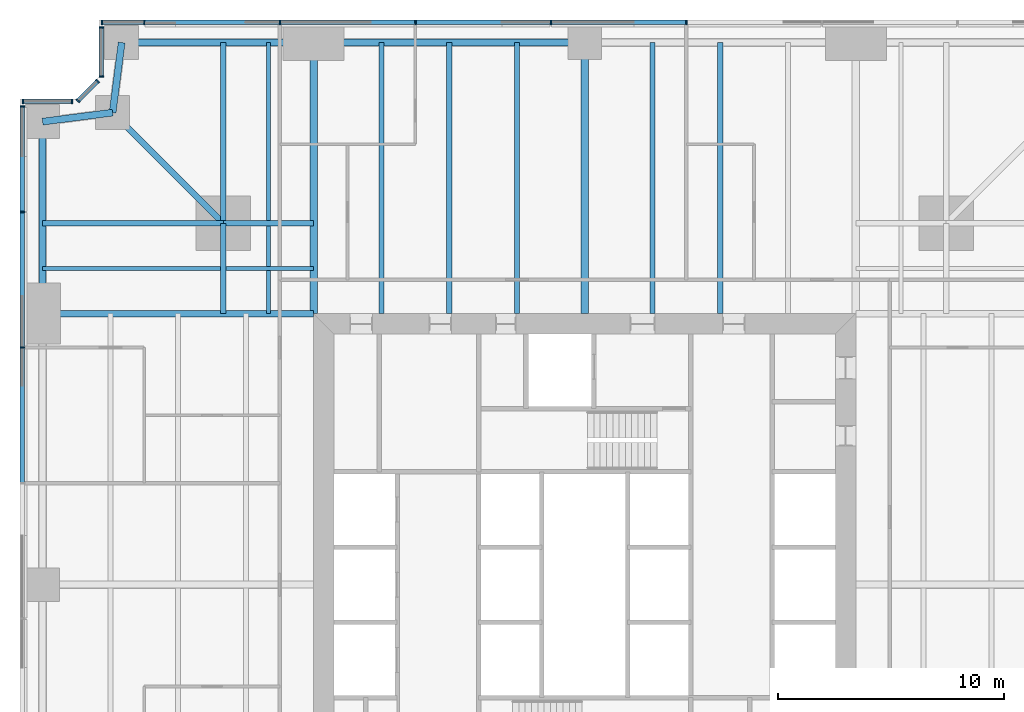
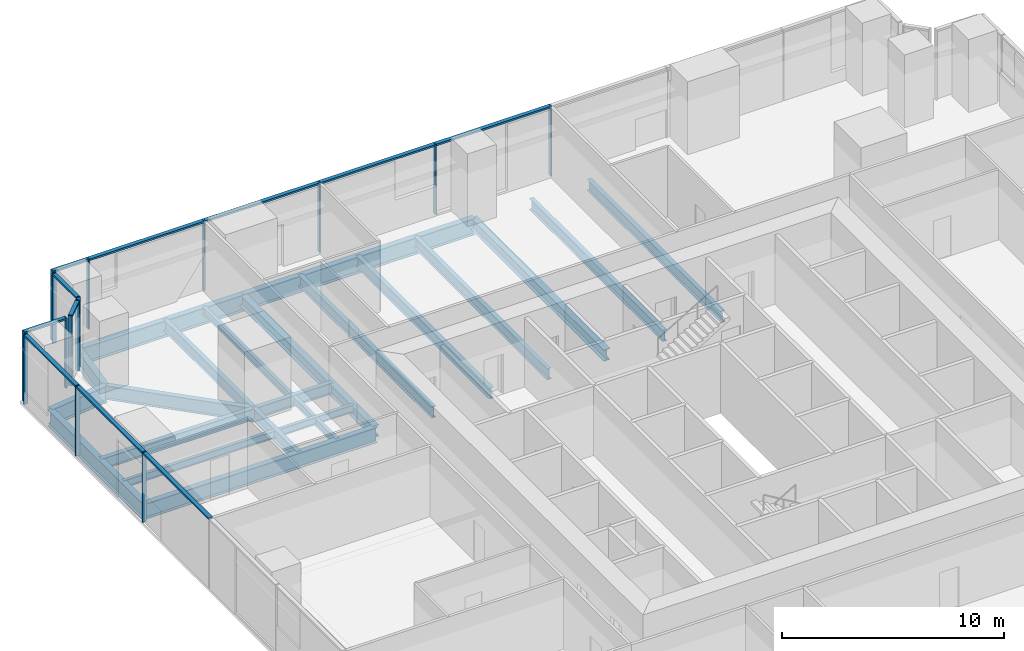
# One storey, part 6 of 13: 26 members, 23 beams, 5 elements without a shape of their own.
"""IFC4 building model written with IfcOpenShell, lengths in metres."""

from ifc_helpers import new_model, si_unit, direction, frame, origin, origin_2d, place, context, subcontext, project, spatial, rectangle, i_section, extrude, material, material_profile, profile_set, type_object, element, aggregate, save


model = new_model("IFC4")

# Units and contexts
model_context = context("Model", 3, precision=1e-05, world=origin(), true_north=direction((0.0, 1.0)))
body_context = subcontext(model_context, "Body", "Model", "MODEL_VIEW")
ifc_project = project(units=[si_unit("LENGTHUNIT", "METRE"), si_unit("AREAUNIT", "SQUARE_METRE"), si_unit("VOLUMEUNIT", "CUBIC_METRE"), si_unit("PLANEANGLEUNIT", "RADIAN"), si_unit("MASSUNIT", "GRAM", prefix="KILO")], contexts=[model_context])

# Site, building, storey
site_placement = place(None, origin())
site = spatial("IfcSite", under=ifc_project, at=site_placement, CompositionType="ELEMENT")
building_placement = place(site_placement, origin())
building = spatial("IfcBuilding", under=site, at=building_placement, Name="Fenwick Lantern Interchange", CompositionType="ELEMENT")
storey_placement = place(building_placement, frame((0.0, 0.0, 47.0)))
storey = spatial("IfcBuildingStorey", under=building, at=storey_placement, Name="L10", CompositionType="ELEMENT", Elevation=47.0)

# Beams
ifc_material_1 = material(Name="Steel ASTM A992 Grade 50", Category="steel")
ifc_material_profile_1 = material_profile(ifc_material_1, i_section(OverallWidth=0.3046875, OverallDepth=0.911865234375, WebThickness=0.015869140625, FlangeThickness=0.02392578125, at=origin_2d()), Name="W36X150")
ifc_profile_set_1 = profile_set([ifc_material_profile_1], Name="Steel ASTM A992 Grade 50")
beam_type_1 = type_object("IfcBeamType", Name="EDGE BEAM W36X150", PredefinedType="SPANDREL", material=ifc_profile_set_1)
beam_1_placement = place(storey_placement, frame((25.0, 49.0, -0.60595703125), z_axis=(-1.0, 0.0, 0.0), x_axis=(0.0, -1.0, 0.0)))
element("IfcBeam", 1, at=beam_1_placement, inside=storey, type_object=beam_type_1, Name="L10/FR/N/EB3", PredefinedType="SPANDREL", context=body_context, shape_type="SweptSolid", body=[
    extrude(i_section(OverallWidth=0.3046875, OverallDepth=0.911865234375, WebThickness=0.015869140625, FlangeThickness=0.02392578125, at=origin_2d()), origin(), (0.0, 0.0, 1.0), 12.0),
])
beam_2_placement = place(storey_placement, frame((13.0, 49.0, -0.60595703125), z_axis=(-1.0, 0.0, 0.0), x_axis=(0.0, -1.0, 0.0)))
element("IfcBeam", 2, at=beam_2_placement, inside=storey, type_object=beam_type_1, Name="L10/FR/N/EB4", PredefinedType="SPANDREL", context=body_context, shape_type="SweptSolid", body=[
    extrude(i_section(OverallWidth=0.3046875, OverallDepth=0.911865234375, WebThickness=0.015869140625, FlangeThickness=0.02392578125, at=origin_2d()), origin(), (0.0, 0.0, 1.0), 8.5),
])
for number, where, z_axis, x_axis, name in (
    (3, (4.5, 49.0, -0.60595703125), (-0.127936641807, -0.991782342897, 0.0), (0.991782342897, -0.127936641807, 0.0), "L10/FR/N/EBR1"),
    (4, (4.10009765625, 45.89990234375, -0.60595703125), (-0.991782342897, -0.127936641807, 0.0), (0.127936641807, -0.991782342897, 0.0), "L10/FR/N/EBR2"),
):
    element("IfcBeam", number, at=place(storey_placement, frame(where, z_axis=z_axis, x_axis=x_axis)), inside=storey, type_object=beam_type_1, Name=name, PredefinedType="SPANDREL", context=body_context, shape_type="SweptSolid", body=[
        extrude(i_section(OverallWidth=0.3046875, OverallDepth=0.911865234375, WebThickness=0.015869140625, FlangeThickness=0.02392578125, at=origin_2d()), origin(), (0.0, 0.0, 1.0), 3.125732421875),
    ])
beam_3_placement = place(storey_placement, frame((1.0, 45.5, -0.60595703125), z_axis=(0.0, -1.0, 0.0), x_axis=(1.0, 0.0, 0.0)))
element("IfcBeam", 5, at=beam_3_placement, inside=storey, type_object=beam_type_1, Name="L10/FR/W/EB1", PredefinedType="SPANDREL", context=body_context, shape_type="SweptSolid", body=[
    extrude(i_section(OverallWidth=0.3046875, OverallDepth=0.911865234375, WebThickness=0.015869140625, FlangeThickness=0.02392578125, at=origin_2d()), origin(), (0.0, 0.0, 1.0), 8.5),
])
ifc_material_profile_2 = material_profile(ifc_material_1, i_section(OverallWidth=0.22900390625, OverallDepth=0.612060546875, WebThickness=0.011962890625, FlangeThickness=0.01953125, at=origin_2d()), Name="W24X84")
ifc_profile_set_2 = profile_set([ifc_material_profile_2], Name="Steel ASTM A992 Grade 50")
beam_type_2 = type_object("IfcBeamType", Name="FLOOR BEAM W24X84", PredefinedType="BEAM", material=ifc_profile_set_2)
for number, where, z_axis, x_axis, name in (
    (6, (31.0, 49.0, -0.4560546875), (0.0, -1.0, 0.0), (1.0, 0.0, 0.0), "L10/FR/N/R03"),
    (7, (28.0, 49.0, -0.4560546875), (0.0, -1.0, 0.0), (1.0, 0.0, 0.0), "L10/FR/N/R04"),
    (8, (22.0, 49.0, -0.4560546875), (0.0, -1.0, 0.0), (1.0, 0.0, 0.0), "L10/FR/N/R06"),
    (9, (19.0, 49.0, -0.4560546875), (0.0, -1.0, 0.0), (1.0, 0.0, 0.0), "L10/FR/N/R07"),
    (10, (16.0, 49.0, -0.4560546875), (0.0, -1.0, 0.0), (1.0, 0.0, 0.0), "L10/FR/N/R08"),
):
    element("IfcBeam", number, at=place(storey_placement, frame(where, z_axis=z_axis, x_axis=x_axis)), inside=storey, type_object=beam_type_2, Name=name, PredefinedType="BEAM", context=body_context, shape_type="SweptSolid", body=[
        extrude(i_section(OverallWidth=0.22900390625, OverallDepth=0.612060546875, WebThickness=0.011962890625, FlangeThickness=0.01953125, at=origin_2d()), origin(), (0.0, 0.0, 1.0), 12.0),
    ])
ifc_material_profile_3 = material_profile(ifc_material_1, i_section(OverallWidth=0.177734375, OverallDepth=0.406494140625, WebThickness=0.0078125, FlangeThickness=0.012939453125, at=origin_2d()), Name="W16X40")
ifc_profile_set_3 = profile_set([ifc_material_profile_3], Name="Steel ASTM A992 Grade 50")
beam_type_3 = type_object("IfcBeamType", Name="INFILL BEAM W16X40", PredefinedType="JOIST", material=ifc_profile_set_3)
beam_4_placement = place(storey_placement, frame((1.0, 39.0, -0.353271484375), z_axis=(1.0, 0.0, 0.0), x_axis=(0.0, 1.0, 0.0)))
element("IfcBeam", 11, at=beam_4_placement, inside=storey, type_object=beam_type_3, Name="L10/FR/W/J1", PredefinedType="JOIST", context=body_context, shape_type="SweptSolid", body=[
    extrude(i_section(OverallWidth=0.177734375, OverallDepth=0.406494140625, WebThickness=0.0078125, FlangeThickness=0.012939453125, at=origin_2d()), origin(), (0.0, 0.0, 1.0), 7.885498046875),
])
beam_5_placement = place(storey_placement, frame((9.114501953125, 39.0, -0.353271484375), z_axis=(1.0, 0.0, 0.0), x_axis=(0.0, 1.0, 0.0)))
element("IfcBeam", 12, at=beam_5_placement, inside=storey, type_object=beam_type_3, Name="L10/FR/W/J2", PredefinedType="JOIST", context=body_context, shape_type="SweptSolid", body=[
    extrude(i_section(OverallWidth=0.177734375, OverallDepth=0.406494140625, WebThickness=0.0078125, FlangeThickness=0.012939453125, at=origin_2d()), origin(), (0.0, 0.0, 1.0), 3.885498046875),
])
beam_6_placement = place(storey_placement, frame((11.0, 49.0, -0.353271484375), z_axis=(0.0, -1.0, 0.0), x_axis=(1.0, 0.0, 0.0)))
element("IfcBeam", 13, at=beam_6_placement, inside=storey, type_object=beam_type_3, Name="L10/FR/W/J3", PredefinedType="JOIST", context=body_context, shape_type="SweptSolid", body=[
    extrude(i_section(OverallWidth=0.177734375, OverallDepth=0.406494140625, WebThickness=0.0078125, FlangeThickness=0.012939453125, at=origin_2d()), origin(), (0.0, 0.0, 1.0), 7.885498046875),
])
beam_7_placement = place(storey_placement, frame((11.0, 40.885498046875, -0.353271484375), z_axis=(0.0, -1.0, 0.0), x_axis=(1.0, 0.0, 0.0)))
element("IfcBeam", 14, at=beam_7_placement, inside=storey, type_object=beam_type_3, Name="L10/FR/W/J4", PredefinedType="JOIST", context=body_context, shape_type="SweptSolid", body=[
    extrude(i_section(OverallWidth=0.177734375, OverallDepth=0.406494140625, WebThickness=0.0078125, FlangeThickness=0.012939453125, at=origin_2d()), origin(), (0.0, 0.0, 1.0), 1.796630859375),
])
beam_8_placement = place(storey_placement, frame((11.0, 38.9111328125, -0.353271484375), z_axis=(0.0, -1.0, 0.0), x_axis=(1.0, 0.0, 0.0)))
element("IfcBeam", 15, at=beam_8_placement, inside=storey, type_object=beam_type_3, Name="L10/FR/W/J5", PredefinedType="JOIST", context=body_context, shape_type="SweptSolid", body=[
    extrude(i_section(OverallWidth=0.177734375, OverallDepth=0.406494140625, WebThickness=0.0078125, FlangeThickness=0.012939453125, at=origin_2d()), origin(), (0.0, 0.0, 1.0), 1.9111328125),
])
ifc_material_profile_4 = material_profile(ifc_material_1, i_section(OverallWidth=0.22900390625, OverallDepth=0.612060546875, WebThickness=0.011962890625, FlangeThickness=0.01953125, at=origin_2d()), Name="W24X84")
ifc_profile_set_4 = profile_set([ifc_material_profile_4], Name="Steel ASTM A992 Grade 50")
beam_type_4 = type_object("IfcBeamType", Name="MEGA COLUMN BEAM W24X84", PredefinedType="BEAM", material=ifc_profile_set_4)
for number, where, z_axis, x_axis, name in (
    (16, (9.0, 41.0, -0.4560546875), (-1.0, 0.0, 0.0), (0.0, -1.0, 0.0), "L10/FR/W/MB1"),
    (17, (9.0, 41.0, -0.4560546875), (0.0, 1.0, 0.0), (-1.0, 0.0, 0.0), "L10/FR/W/MB2"),
):
    element("IfcBeam", number, at=place(storey_placement, frame(where, z_axis=z_axis, x_axis=x_axis)), inside=storey, type_object=beam_type_4, Name=name, PredefinedType="BEAM", context=body_context, shape_type="SweptSolid", body=[
        extrude(i_section(OverallWidth=0.22900390625, OverallDepth=0.612060546875, WebThickness=0.011962890625, FlangeThickness=0.01953125, at=origin_2d()), origin(), (0.0, 0.0, 1.0), 8.0),
    ])
for number, where, z_axis, x_axis, name in (
    (18, (9.0, 41.0, -0.4560546875), (0.0, -1.0, 0.0), (1.0, 0.0, 0.0), "L10/FR/W/MB3"),
    (19, (9.0, 41.0, -0.4560546875), (1.0, 0.0, 0.0), (0.0, 1.0, 0.0), "L10/FR/W/MB4"),
):
    element("IfcBeam", number, at=place(storey_placement, frame(where, z_axis=z_axis, x_axis=x_axis)), inside=storey, type_object=beam_type_4, Name=name, PredefinedType="BEAM", context=body_context, shape_type="SweptSolid", body=[
        extrude(i_section(OverallWidth=0.22900390625, OverallDepth=0.612060546875, WebThickness=0.011962890625, FlangeThickness=0.01953125, at=origin_2d()), origin(), (0.0, 0.0, 1.0), 4.0),
    ])
ifc_material_profile_5 = material_profile(ifc_material_1, i_section(OverallWidth=0.32763671875, OverallDepth=0.622314453125, WebThickness=0.015380859375, FlangeThickness=0.0244140625, at=origin_2d()), Name="W24X131")
ifc_profile_set_5 = profile_set([ifc_material_profile_5], Name="Steel ASTM A992 Grade 50")
beam_type_5 = type_object("IfcBeamType", Name="MOMENT-CONNECTED GIRDER W24X131", PredefinedType="BEAM", material=ifc_profile_set_5)
for number, where, z_axis, x_axis, name in (
    (20, (25.0, 49.0, -0.461181640625), (0.0, -1.0, 0.0), (1.0, 0.0, 0.0), "L10/FR/N/R05"),
    (21, (13.0, 49.0, -0.461181640625), (0.0, -1.0, 0.0), (1.0, 0.0, 0.0), "L10/FR/N/R09"),
):
    element("IfcBeam", number, at=place(storey_placement, frame(where, z_axis=z_axis, x_axis=x_axis)), inside=storey, type_object=beam_type_5, Name=name, PredefinedType="BEAM", context=body_context, shape_type="SweptSolid", body=[
        extrude(i_section(OverallWidth=0.32763671875, OverallDepth=0.622314453125, WebThickness=0.015380859375, FlangeThickness=0.0244140625, at=origin_2d()), origin(), (0.0, 0.0, 1.0), 12.0),
    ])
ifc_material_profile_6 = material_profile(ifc_material_1, i_section(OverallWidth=0.2919921875, OverallDepth=0.845703125, WebThickness=0.015380859375, FlangeThickness=0.0244140625, at=origin_2d()), Name="W33X141")
ifc_profile_set_6 = profile_set([ifc_material_profile_6], Name="Steel ASTM A992 Grade 50")
beam_type_6 = type_object("IfcBeamType", Name="MOMENT-CONNECTED GIRDER W33X141", PredefinedType="BEAM", material=ifc_profile_set_6)
beam_9_placement = place(storey_placement, frame((1.0, 37.0, -0.572998046875), z_axis=(1.0, 0.0, 0.0), x_axis=(0.0, 1.0, 0.0)))
element("IfcBeam", 22, at=beam_9_placement, inside=storey, type_object=beam_type_6, Name="L10/FR/W/R01", PredefinedType="BEAM", context=body_context, shape_type="SweptSolid", body=[
    extrude(i_section(OverallWidth=0.2919921875, OverallDepth=0.845703125, WebThickness=0.015380859375, FlangeThickness=0.0244140625, at=origin_2d()), origin(), (0.0, 0.0, 1.0), 12.0),
])
ifc_material_profile_7 = material_profile(ifc_material_1, i_section(OverallWidth=0.2666015625, OverallDepth=0.7568359375, WebThickness=0.013916015625, FlangeThickness=0.019287109375, at=origin_2d()), Name="W30X108")
ifc_profile_set_7 = profile_set([ifc_material_profile_7], Name="Steel ASTM A992 Grade 50")
beam_type_7 = type_object("IfcBeamType", Name="NOTCH BEAM W30X108", PredefinedType="BEAM", material=ifc_profile_set_7)
beam_10_placement = place(storey_placement, frame((9.0, 41.0, -0.528564453125), z_axis=(-0.707106781187, 0.707106781187, 0.0), x_axis=(-0.707106781187, -0.707106781187, 0.0)))
element("IfcBeam", 23, at=beam_10_placement, inside=storey, type_object=beam_type_7, Name="L10/FR/W/TG", PredefinedType="BEAM", context=body_context, shape_type="SweptSolid", body=[
    extrude(i_section(OverallWidth=0.2666015625, OverallDepth=0.7568359375, WebThickness=0.013916015625, FlangeThickness=0.019287109375, at=origin_2d()), origin(), (0.0, 0.0, 1.0), 6.929443359375),
])

# Curtain wall, members
ifc_material_2 = material(Name="Aluminium curtain wall frame", Category="aluminium")
curtain_wall_type = type_object("IfcCurtainWallType", Name="OFFICE CURTAIN WALL", PredefinedType="USERDEFINED", material=ifc_material_2)
curtain_wall_1_placement = place(storey_placement, origin())
curtain_wall_1 = element("IfcCurtainWall", 24, at=curtain_wall_1_placement, inside=storey, type_object=curtain_wall_type, Name="Office curtain wall 09", ObjectType="OFFICE CURTAIN WALL", PredefinedType="USERDEFINED")
ifc_material_3 = material(Name="Aluminium extrusion", Category="aluminium")
ifc_material_profile_8 = material_profile(ifc_material_3, rectangle(XDim=0.199951171875, YDim=0.06494140625, at=origin_2d()), Name="OFFICE CURTAIN WALL MULLION 65 X 200")
ifc_profile_set_8 = profile_set([ifc_material_profile_8], Name="Aluminium extrusion")
member_type_1 = type_object("IfcMemberType", Name="OFFICE CURTAIN WALL MULLION 65 X 200", PredefinedType="MULLION", material=ifc_profile_set_8)
member_1_placement = place(storey_placement, frame((29.5, 49.89990234375, 0.0), z_axis=(0.0, 0.0, 1.0), x_axis=(0.0, -1.0, 0.0)))
member_1 = element("IfcMember", 25, at=member_1_placement, type_object=member_type_1, Name="L10/CW/09/M03", PredefinedType="MULLION", context=body_context, shape_type="SweptSolid", body=[
    extrude(rectangle(XDim=0.199951171875, YDim=0.06494140625, at=origin_2d()), origin(), (0.0, 0.0, 1.0), 3.85009765625),
])
member_2_placement = place(storey_placement, frame((23.5, 49.89990234375, 0.0), z_axis=(0.0, 0.0, 1.0), x_axis=(0.0, -1.0, 0.0)))
member_2 = element("IfcMember", 26, at=member_2_placement, type_object=member_type_1, Name="L10/CW/09/M04", PredefinedType="MULLION", context=body_context, shape_type="SweptSolid", body=[
    extrude(rectangle(XDim=0.199951171875, YDim=0.06494140625, at=origin_2d()), origin(), (0.0, 0.0, 1.0), 3.85009765625),
])
member_3_placement = place(storey_placement, frame((17.5, 49.89990234375, 0.0), z_axis=(0.0, 0.0, 1.0), x_axis=(0.0, -1.0, 0.0)))
member_3 = element("IfcMember", 27, at=member_3_placement, type_object=member_type_1, Name="L10/CW/09/M05", PredefinedType="MULLION", context=body_context, shape_type="SweptSolid", body=[
    extrude(rectangle(XDim=0.199951171875, YDim=0.06494140625, at=origin_2d()), origin(), (0.0, 0.0, 1.0), 3.85009765625),
])
member_4_placement = place(storey_placement, frame((11.5, 49.89990234375, 0.0), z_axis=(0.0, 0.0, 1.0), x_axis=(0.0, -1.0, 0.0)))
member_4 = element("IfcMember", 28, at=member_4_placement, type_object=member_type_1, Name="L10/CW/09/M06", PredefinedType="MULLION", context=body_context, shape_type="SweptSolid", body=[
    extrude(rectangle(XDim=0.199951171875, YDim=0.06494140625, at=origin_2d()), origin(), (0.0, 0.0, 1.0), 3.85009765625),
])
member_5_placement = place(storey_placement, frame((5.5, 49.89990234375, 0.0), z_axis=(0.0, 0.0, 1.0), x_axis=(0.0, -1.0, 0.0)))
member_5 = element("IfcMember", 29, at=member_5_placement, type_object=member_type_1, Name="L10/CW/09/M07", PredefinedType="MULLION", context=body_context, shape_type="SweptSolid", body=[
    extrude(rectangle(XDim=0.199951171875, YDim=0.06494140625, at=origin_2d()), origin(), (0.0, 0.0, 1.0), 3.85009765625),
])
member_6_placement = place(storey_placement, frame((3.632568359375, 49.89990234375, 0.0), z_axis=(0.0, 0.0, 1.0), x_axis=(0.0, -1.0, 0.0)))
member_6 = element("IfcMember", 30, at=member_6_placement, type_object=member_type_1, Name="L10/CW/09/M08", PredefinedType="MULLION", context=body_context, shape_type="SweptSolid", body=[
    extrude(rectangle(XDim=0.199951171875, YDim=0.06494140625, at=origin_2d()), origin(), (0.0, 0.0, 1.0), 3.85009765625),
])

curtain_wall_2_placement = place(storey_placement, origin())
curtain_wall_2 = element("IfcCurtainWall", 31, at=curtain_wall_2_placement, inside=storey, type_object=curtain_wall_type, Name="Office curtain wall 10", ObjectType="OFFICE CURTAIN WALL", PredefinedType="USERDEFINED")
member_7_placement = place(storey_placement, frame((3.60009765625, 49.66748046875, 0.0), z_axis=(0.0, 0.0, 1.0), x_axis=(1.0, 0.0, 0.0)))
member_7 = element("IfcMember", 32, at=member_7_placement, type_object=member_type_1, Name="L10/CW/10/M00", PredefinedType="MULLION", context=body_context, shape_type="SweptSolid", body=[
    extrude(rectangle(XDim=0.199951171875, YDim=0.06494140625, at=origin_2d()), origin(), (0.0, 0.0, 1.0), 3.85009765625),
])
member_8_placement = place(storey_placement, frame((3.60009765625, 47.490966796875, 0.0), z_axis=(0.0, 0.0, 1.0), x_axis=(1.0, 0.0, 0.0)))
member_8 = element("IfcMember", 33, at=member_8_placement, type_object=member_type_1, Name="L10/CW/10/M01", PredefinedType="MULLION", context=body_context, shape_type="SweptSolid", body=[
    extrude(rectangle(XDim=0.199951171875, YDim=0.06494140625, at=origin_2d()), origin(), (0.0, 0.0, 1.0), 3.85009765625),
])

curtain_wall_3_placement = place(storey_placement, origin())
curtain_wall_3 = element("IfcCurtainWall", 34, at=curtain_wall_3_placement, inside=storey, type_object=curtain_wall_type, Name="Office curtain wall 11", ObjectType="OFFICE CURTAIN WALL", PredefinedType="USERDEFINED")
member_9_placement = place(storey_placement, frame((3.435546875, 47.294189453125, 0.0), z_axis=(0.0, 0.0, 1.0), x_axis=(0.707106781187, -0.707106781187, 0.0)))
member_9 = element("IfcMember", 35, at=member_9_placement, type_object=member_type_1, Name="L10/CW/11/M00", PredefinedType="MULLION", context=body_context, shape_type="SweptSolid", body=[
    extrude(rectangle(XDim=0.199951171875, YDim=0.06494140625, at=origin_2d()), origin(), (0.0, 0.0, 1.0), 3.85009765625),
])
member_10_placement = place(storey_placement, frame((2.564453125, 46.423095703125, 0.0), z_axis=(0.0, 0.0, 1.0), x_axis=(0.707106781187, -0.707106781187, 0.0)))
member_10 = element("IfcMember", 36, at=member_10_placement, type_object=member_type_1, Name="L10/CW/11/M01", PredefinedType="MULLION", context=body_context, shape_type="SweptSolid", body=[
    extrude(rectangle(XDim=0.199951171875, YDim=0.06494140625, at=origin_2d()), origin(), (0.0, 0.0, 1.0), 3.85009765625),
])

curtain_wall_4_placement = place(storey_placement, origin())
curtain_wall_4 = element("IfcCurtainWall", 37, at=curtain_wall_4_placement, inside=storey, type_object=curtain_wall_type, Name="Office curtain wall 12", ObjectType="OFFICE CURTAIN WALL", PredefinedType="USERDEFINED")
member_11_placement = place(storey_placement, frame((2.308837890625, 46.39990234375, 0.0), z_axis=(0.0, 0.0, 1.0), x_axis=(0.0, -1.0, 0.0)))
member_11 = element("IfcMember", 38, at=member_11_placement, type_object=member_type_1, Name="L10/CW/12/M00", PredefinedType="MULLION", context=body_context, shape_type="SweptSolid", body=[
    extrude(rectangle(XDim=0.199951171875, YDim=0.06494140625, at=origin_2d()), origin(), (0.0, 0.0, 1.0), 3.85009765625),
])
member_12_placement = place(storey_placement, frame((0.132568359375, 46.39990234375, 0.0), z_axis=(0.0, 0.0, 1.0), x_axis=(0.0, -1.0, 0.0)))
member_12 = element("IfcMember", 39, at=member_12_placement, type_object=member_type_1, Name="L10/CW/12/M01", PredefinedType="MULLION", context=body_context, shape_type="SweptSolid", body=[
    extrude(rectangle(XDim=0.199951171875, YDim=0.06494140625, at=origin_2d()), origin(), (0.0, 0.0, 1.0), 3.85009765625),
])

curtain_wall_5_placement = place(storey_placement, origin())
curtain_wall_5 = element("IfcCurtainWall", 40, at=curtain_wall_5_placement, inside=storey, type_object=curtain_wall_type, Name="Office curtain wall 13", ObjectType="OFFICE CURTAIN WALL", PredefinedType="USERDEFINED")
member_13_placement = place(storey_placement, frame((0.10009765625, 46.16748046875, 0.0), z_axis=(0.0, 0.0, 1.0), x_axis=(1.0, 0.0, 0.0)))
member_13 = element("IfcMember", 41, at=member_13_placement, type_object=member_type_1, Name="L10/CW/13/M00", PredefinedType="MULLION", context=body_context, shape_type="SweptSolid", body=[
    extrude(rectangle(XDim=0.199951171875, YDim=0.06494140625, at=origin_2d()), origin(), (0.0, 0.0, 1.0), 3.85009765625),
])
member_14_placement = place(storey_placement, frame((0.10009765625, 41.5, 0.0), z_axis=(0.0, 0.0, 1.0), x_axis=(1.0, 0.0, 0.0)))
member_14 = element("IfcMember", 42, at=member_14_placement, type_object=member_type_1, Name="L10/CW/13/M01", PredefinedType="MULLION", context=body_context, shape_type="SweptSolid", body=[
    extrude(rectangle(XDim=0.199951171875, YDim=0.06494140625, at=origin_2d()), origin(), (0.0, 0.0, 1.0), 3.85009765625),
])
member_15_placement = place(storey_placement, frame((0.10009765625, 35.5, 0.0), z_axis=(0.0, 0.0, 1.0), x_axis=(1.0, 0.0, 0.0)))
member_15 = element("IfcMember", 43, at=member_15_placement, type_object=member_type_1, Name="L10/CW/13/M02", PredefinedType="MULLION", context=body_context, shape_type="SweptSolid", body=[
    extrude(rectangle(XDim=0.199951171875, YDim=0.06494140625, at=origin_2d()), origin(), (0.0, 0.0, 1.0), 3.85009765625),
])

# Member
ifc_material_profile_9 = material_profile(ifc_material_3, rectangle(XDim=0.199951171875, YDim=0.10009765625, at=origin_2d()), Name="OFFICE CURTAIN WALL TRANSOM 100 X 200")
ifc_profile_set_9 = profile_set([ifc_material_profile_9], Name="Aluminium extrusion")
member_type_2 = type_object("IfcMemberType", Name="OFFICE CURTAIN WALL TRANSOM 100 X 200", PredefinedType="MULLION", material=ifc_profile_set_9)
member_16_placement = place(storey_placement, frame((29.467529296875, 49.89990234375, 3.800048828125), z_axis=(-1.0, 0.0, 0.0), x_axis=(0.0, -1.0, 0.0)))
member_16 = element("IfcMember", 44, at=member_16_placement, type_object=member_type_2, Name="L10/CW/09/T03", PredefinedType="MULLION", context=body_context, shape_type="SweptSolid", body=[
    extrude(rectangle(XDim=0.199951171875, YDim=0.10009765625, at=origin_2d()), origin(), (0.0, 0.0, 1.0), 5.93505859375),
])

member_17_placement = place(storey_placement, frame((23.467529296875, 49.89990234375, 3.800048828125), z_axis=(-1.0, 0.0, 0.0), x_axis=(0.0, -1.0, 0.0)))
member_17 = element("IfcMember", 45, at=member_17_placement, type_object=member_type_2, Name="L10/CW/09/T04", PredefinedType="MULLION", context=body_context, shape_type="SweptSolid", body=[
    extrude(rectangle(XDim=0.199951171875, YDim=0.10009765625, at=origin_2d()), origin(), (0.0, 0.0, 1.0), 5.93505859375),
])

member_18_placement = place(storey_placement, frame((17.467529296875, 49.89990234375, 3.800048828125), z_axis=(-1.0, 0.0, 0.0), x_axis=(0.0, -1.0, 0.0)))
member_18 = element("IfcMember", 46, at=member_18_placement, type_object=member_type_2, Name="L10/CW/09/T05", PredefinedType="MULLION", context=body_context, shape_type="SweptSolid", body=[
    extrude(rectangle(XDim=0.199951171875, YDim=0.10009765625, at=origin_2d()), origin(), (0.0, 0.0, 1.0), 5.93505859375),
])

member_19_placement = place(storey_placement, frame((11.467529296875, 49.89990234375, 3.800048828125), z_axis=(-1.0, 0.0, 0.0), x_axis=(0.0, -1.0, 0.0)))
member_19 = element("IfcMember", 47, at=member_19_placement, type_object=member_type_2, Name="L10/CW/09/T06", PredefinedType="MULLION", context=body_context, shape_type="SweptSolid", body=[
    extrude(rectangle(XDim=0.199951171875, YDim=0.10009765625, at=origin_2d()), origin(), (0.0, 0.0, 1.0), 5.93505859375),
])

member_20_placement = place(storey_placement, frame((5.467529296875, 49.89990234375, 3.800048828125), z_axis=(-1.0, 0.0, 0.0), x_axis=(0.0, -1.0, 0.0)))
member_20 = element("IfcMember", 48, at=member_20_placement, type_object=member_type_2, Name="L10/CW/09/T07", PredefinedType="MULLION", context=body_context, shape_type="SweptSolid", body=[
    extrude(rectangle(XDim=0.199951171875, YDim=0.10009765625, at=origin_2d()), origin(), (0.0, 0.0, 1.0), 1.802490234375),
])

aggregate(curtain_wall_1, [member_1, member_2, member_3, member_4, member_5, member_6, member_16, member_17, member_18, member_19, member_20])

member_21_placement = place(storey_placement, frame((3.60009765625, 49.635009765625, 3.800048828125), z_axis=(0.0, -1.0, 0.0), x_axis=(1.0, 0.0, 0.0)))
member_21 = element("IfcMember", 49, at=member_21_placement, type_object=member_type_2, Name="L10/CW/10/T00", PredefinedType="MULLION", context=body_context, shape_type="SweptSolid", body=[
    extrude(rectangle(XDim=0.199951171875, YDim=0.10009765625, at=origin_2d()), origin(), (0.0, 0.0, 1.0), 2.111328125),
])

aggregate(curtain_wall_2, [member_7, member_8, member_21])

member_22_placement = place(storey_placement, frame((3.41259765625, 47.271240234375, 3.800048828125), z_axis=(-0.707106781187, -0.707106781187, 0.0), x_axis=(0.707106781187, -0.707106781187, 0.0)))
member_22 = element("IfcMember", 50, at=member_22_placement, type_object=member_type_2, Name="L10/CW/11/T00", PredefinedType="MULLION", context=body_context, shape_type="SweptSolid", body=[
    extrude(rectangle(XDim=0.199951171875, YDim=0.10009765625, at=origin_2d()), origin(), (0.0, 0.0, 1.0), 1.1669921875),
])

aggregate(curtain_wall_3, [member_9, member_10, member_22])

member_23_placement = place(storey_placement, frame((2.2763671875, 46.39990234375, 3.800048828125), z_axis=(-1.0, 0.0, 0.0), x_axis=(0.0, -1.0, 0.0)))
member_23 = element("IfcMember", 51, at=member_23_placement, type_object=member_type_2, Name="L10/CW/12/T00", PredefinedType="MULLION", context=body_context, shape_type="SweptSolid", body=[
    extrude(rectangle(XDim=0.199951171875, YDim=0.10009765625, at=origin_2d()), origin(), (0.0, 0.0, 1.0), 2.111328125),
])

aggregate(curtain_wall_4, [member_11, member_12, member_23])

member_24_placement = place(storey_placement, frame((0.10009765625, 46.135009765625, 3.800048828125), z_axis=(0.0, -1.0, 0.0), x_axis=(1.0, 0.0, 0.0)))
member_24 = element("IfcMember", 52, at=member_24_placement, type_object=member_type_2, Name="L10/CW/13/T00", PredefinedType="MULLION", context=body_context, shape_type="SweptSolid", body=[
    extrude(rectangle(XDim=0.199951171875, YDim=0.10009765625, at=origin_2d()), origin(), (0.0, 0.0, 1.0), 4.6025390625),
])

member_25_placement = place(storey_placement, frame((0.10009765625, 41.467529296875, 3.800048828125), z_axis=(0.0, -1.0, 0.0), x_axis=(1.0, 0.0, 0.0)))
member_25 = element("IfcMember", 53, at=member_25_placement, type_object=member_type_2, Name="L10/CW/13/T01", PredefinedType="MULLION", context=body_context, shape_type="SweptSolid", body=[
    extrude(rectangle(XDim=0.199951171875, YDim=0.10009765625, at=origin_2d()), origin(), (0.0, 0.0, 1.0), 5.93505859375),
])

member_26_placement = place(storey_placement, frame((0.10009765625, 35.467529296875, 3.800048828125), z_axis=(0.0, -1.0, 0.0), x_axis=(1.0, 0.0, 0.0)))
member_26 = element("IfcMember", 54, at=member_26_placement, type_object=member_type_2, Name="L10/CW/13/T02", PredefinedType="MULLION", context=body_context, shape_type="SweptSolid", body=[
    extrude(rectangle(XDim=0.199951171875, YDim=0.10009765625, at=origin_2d()), origin(), (0.0, 0.0, 1.0), 5.93505859375),
])

aggregate(curtain_wall_5, [member_13, member_14, member_15, member_24, member_25, member_26])

save(model, "model.ifc")
